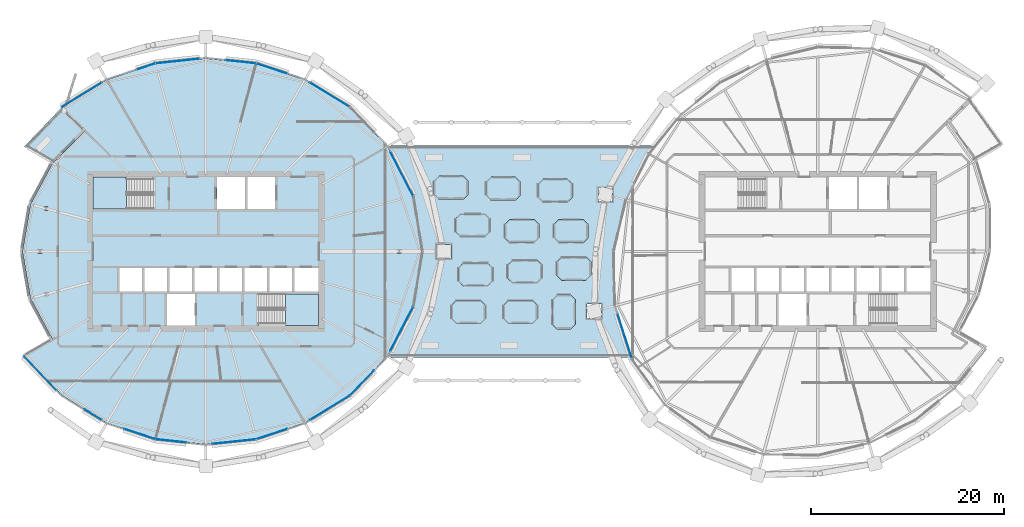
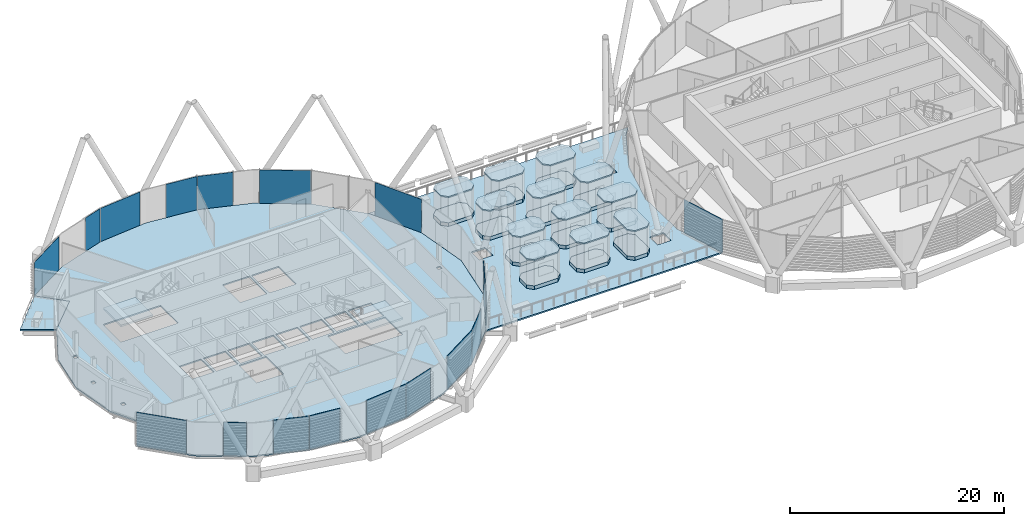
# One storey, part 20 of 38: 29 slabs, 17 plates, 4 elements without a shape of their own.
"""IFC4 building model written with IfcOpenShell, lengths in metres."""

from ifc_helpers import new_model, si_unit, direction, frame, origin, origin_2d, place, context, subcontext, project, spatial, polyline, rectangle, outline, extrude, material, layer, layer_set, type_object, element, aggregate, save


model = new_model("IFC4")

# Units and contexts
model_context = context("Model", 3, precision=1e-05, world=origin(), true_north=direction((0.0, 1.0)))
body_context = subcontext(model_context, "Body", "Model", "MODEL_VIEW")
ifc_project = project(units=[si_unit("LENGTHUNIT", "METRE"), si_unit("AREAUNIT", "SQUARE_METRE"), si_unit("VOLUMEUNIT", "CUBIC_METRE"), si_unit("PLANEANGLEUNIT", "RADIAN"), si_unit("MASSUNIT", "GRAM", prefix="KILO")], contexts=[model_context])

# Site, building, storey
site_placement = place(None, origin())
site = spatial("IfcSite", under=ifc_project, at=site_placement, CompositionType="ELEMENT")
building_placement = place(site_placement, origin())
building = spatial("IfcBuilding", under=site, at=building_placement, Name="Rimbun Link Towers", CompositionType="ELEMENT")
storey_placement = place(building_placement, frame((0.0, 0.0, 158.89990234375)))
storey = spatial("IfcBuildingStorey", under=building, at=storey_placement, Name="L38", CompositionType="ELEMENT", Elevation=158.89990234375)

# Slabs
ifc_material_1 = material(Name="Concrete C40/50", Category="concrete")
ifc_layer_1 = layer(ifc_material_1, 0.409912109375)
ifc_layer_set_1 = layer_set([ifc_layer_1], Name="CAPSULE plinth slab 410")
slab_type_1 = type_object("IfcSlabType", Name="CAPSULE plinth slab 410", PredefinedType="FLOOR", material=ifc_layer_set_1)
slab_1_placement = place(storey_placement, origin())
element("IfcSlab", 1, at=slab_1_placement, inside=storey, type_object=slab_type_1, Name="CAPSULE C01 floor panel", PredefinedType="FLOOR", context=body_context, shape_type="SweptSolid", body=[
    extrude(outline(polyline([(-2.699951171875, -5.62939453125), (-3.229248046875, -5.10009765625), (-5.770751953125, -5.10009765625), (-6.300048828125, -5.62939453125), (-6.300048828125, -6.970703125), (-5.770751953125, -7.5), (-3.229248046875, -7.5), (-2.699951171875, -6.970703125), (-2.699951171875, -5.62939453125)])), origin(), (0.0, 0.0, 1.0), 0.41015625),
])
slab_2_placement = place(storey_placement, origin())
element("IfcSlab", 2, at=slab_2_placement, inside=storey, type_object=slab_type_1, Name="CAPSULE C02 floor panel", PredefinedType="FLOOR", context=body_context, shape_type="SweptSolid", body=[
    extrude(outline(polyline([(2.699951171875, -5.62939453125), (2.170654296875, -5.10009765625), (-0.37060546875, -5.10009765625), (-0.89990234375, -5.62939453125), (-0.89990234375, -6.970703125), (-0.37060546875, -7.5), (2.170654296875, -7.5), (2.699951171875, -6.970703125), (2.699951171875, -5.62939453125)])), origin(), (0.0, 0.0, 1.0), 0.41015625),
])
slab_3_placement = place(storey_placement, origin())
element("IfcSlab", 3, at=slab_3_placement, inside=storey, type_object=slab_type_1, Name="CAPSULE C03 floor panel", PredefinedType="FLOOR", context=body_context, shape_type="SweptSolid", body=[
    extrude(outline(polyline([(4.729248046875, -4.5), (4.199951171875, -5.029296875), (4.199951171875, -7.57080078125), (4.729248046875, -8.10009765625), (6.07080078125, -8.10009765625), (6.60009765625, -7.57080078125), (6.60009765625, -5.029296875), (6.07080078125, -4.5), (4.729248046875, -4.5)])), origin(), (0.0, 0.0, 1.0), 0.41015625),
])
slab_4_placement = place(storey_placement, origin())
element("IfcSlab", 4, at=slab_4_placement, inside=storey, type_object=slab_type_1, Name="CAPSULE C04 floor panel", PredefinedType="FLOOR", context=body_context, shape_type="SweptSolid", body=[
    extrude(outline(polyline([(-1.949951171875, -1.729248046875), (-2.479248046875, -1.199951171875), (-5.020751953125, -1.199951171875), (-5.550048828125, -1.729248046875), (-5.550048828125, -3.07080078125), (-5.020751953125, -3.60009765625), (-2.479248046875, -3.60009765625), (-1.949951171875, -3.07080078125), (-1.949951171875, -1.729248046875)])), origin(), (0.0, 0.0, 1.0), 0.41015625),
])
slab_5_placement = place(storey_placement, origin())
element("IfcSlab", 5, at=slab_5_placement, inside=storey, type_object=slab_type_1, Name="CAPSULE C05 floor panel", PredefinedType="FLOOR", context=body_context, shape_type="SweptSolid", body=[
    extrude(outline(polyline([(3.14990234375, -1.42919921875), (2.62060546875, -0.89990234375), (0.079345703125, -0.89990234375), (-0.449951171875, -1.42919921875), (-0.449951171875, -2.770751953125), (0.079345703125, -3.300048828125), (2.62060546875, -3.300048828125), (3.14990234375, -2.770751953125), (3.14990234375, -1.42919921875)])), origin(), (0.0, 0.0, 1.0), 0.41015625),
])
slab_6_placement = place(storey_placement, origin())
element("IfcSlab", 6, at=slab_6_placement, inside=storey, type_object=slab_type_1, Name="CAPSULE C06 floor panel", PredefinedType="FLOOR", context=body_context, shape_type="SweptSolid", body=[
    extrude(outline(polyline([(8.25, -1.12939453125), (7.720703125, -0.60009765625), (5.17919921875, -0.60009765625), (4.64990234375, -1.12939453125), (4.64990234375, -2.470703125), (5.17919921875, -3.0), (7.720703125, -3.0), (8.25, -2.470703125), (8.25, -1.12939453125)])), origin(), (0.0, 0.0, 1.0), 0.41015625),
])
slab_7_placement = place(storey_placement, origin())
element("IfcSlab", 7, at=slab_7_placement, inside=storey, type_object=slab_type_1, Name="CAPSULE C07 floor panel", PredefinedType="FLOOR", context=body_context, shape_type="SweptSolid", body=[
    extrude(outline(polyline([(-2.25, 3.37060546875), (-2.779296875, 3.89990234375), (-5.32080078125, 3.89990234375), (-5.85009765625, 3.37060546875), (-5.85009765625, 2.029296875), (-5.32080078125, 1.5), (-2.779296875, 1.5), (-2.25, 2.029296875), (-2.25, 3.37060546875)])), origin(), (0.0, 0.0, 1.0), 0.41015625),
])
slab_8_placement = place(storey_placement, origin())
element("IfcSlab", 8, at=slab_8_placement, inside=storey, type_object=slab_type_1, Name="CAPSULE C08 floor panel", PredefinedType="FLOOR", context=body_context, shape_type="SweptSolid", body=[
    extrude(outline(polyline([(2.85009765625, 2.770751953125), (2.32080078125, 3.300048828125), (-0.220703125, 3.300048828125), (-0.75, 2.770751953125), (-0.75, 1.42919921875), (-0.220703125, 0.89990234375), (2.32080078125, 0.89990234375), (2.85009765625, 1.42919921875), (2.85009765625, 2.770751953125)])), origin(), (0.0, 0.0, 1.0), 0.41015625),
])
slab_9_placement = place(storey_placement, origin())
element("IfcSlab", 9, at=slab_9_placement, inside=storey, type_object=slab_type_1, Name="CAPSULE C09 floor panel", PredefinedType="FLOOR", context=body_context, shape_type="SweptSolid", body=[
    extrude(outline(polyline([(7.949951171875, 2.770751953125), (7.420654296875, 3.300048828125), (4.87939453125, 3.300048828125), (4.35009765625, 2.770751953125), (4.35009765625, 1.42919921875), (4.87939453125, 0.89990234375), (7.420654296875, 0.89990234375), (7.949951171875, 1.42919921875), (7.949951171875, 2.770751953125)])), origin(), (0.0, 0.0, 1.0), 0.41015625),
])
slab_10_placement = place(storey_placement, origin())
element("IfcSlab", 10, at=slab_10_placement, inside=storey, type_object=slab_type_1, Name="CAPSULE C10 floor panel", PredefinedType="FLOOR", context=body_context, shape_type="SweptSolid", body=[
    extrude(outline(polyline([(-4.5, 7.270751953125), (-5.029296875, 7.800048828125), (-7.57080078125, 7.800048828125), (-8.10009765625, 7.270751953125), (-8.10009765625, 5.92919921875), (-7.57080078125, 5.39990234375), (-5.029296875, 5.39990234375), (-4.5, 5.92919921875), (-4.5, 7.270751953125)])), origin(), (0.0, 0.0, 1.0), 0.41015625),
])
slab_11_placement = place(storey_placement, origin())
element("IfcSlab", 11, at=slab_11_placement, inside=storey, type_object=slab_type_1, Name="CAPSULE C11 floor panel", PredefinedType="FLOOR", context=body_context, shape_type="SweptSolid", body=[
    extrude(outline(polyline([(0.89990234375, 7.170654296875), (0.37060546875, 7.699951171875), (-2.170654296875, 7.699951171875), (-2.699951171875, 7.170654296875), (-2.699951171875, 5.829345703125), (-2.170654296875, 5.300048828125), (0.37060546875, 5.300048828125), (0.89990234375, 5.829345703125), (0.89990234375, 7.170654296875)])), origin(), (0.0, 0.0, 1.0), 0.41015625),
])
slab_12_placement = place(storey_placement, origin())
element("IfcSlab", 12, at=slab_12_placement, inside=storey, type_object=slab_type_1, Name="CAPSULE C12 floor panel", PredefinedType="FLOOR", context=body_context, shape_type="SweptSolid", body=[
    extrude(outline(polyline([(6.300048828125, 6.970703125), (5.770751953125, 7.5), (3.229248046875, 7.5), (2.699951171875, 6.970703125), (2.699951171875, 5.62939453125), (3.229248046875, 5.10009765625), (5.770751953125, 5.10009765625), (6.300048828125, 5.62939453125), (6.300048828125, 6.970703125)])), origin(), (0.0, 0.0, 1.0), 0.41015625),
])
ifc_material_2 = material(Name="Insulated metal roof panel with terracotta fascia", Category="masonry")
ifc_layer_2 = layer(ifc_material_2, 0.14990234375)
ifc_layer_set_2 = layer_set([ifc_layer_2], Name="CAPSULE roof panel 150")
slab_type_2 = type_object("IfcSlabType", Name="CAPSULE roof panel 150", PredefinedType="ROOF", material=ifc_layer_set_2)
slab_13_placement = place(storey_placement, frame((0.0, 0.0, 3.260009765625)))
element("IfcSlab", 13, at=slab_13_placement, inside=storey, type_object=slab_type_2, Name="CAPSULE C01 roof panel", PredefinedType="ROOF", context=body_context, shape_type="SweptSolid", body=[
    extrude(outline(polyline([(-2.699951171875, -5.62939453125), (-3.229248046875, -5.10009765625), (-5.770751953125, -5.10009765625), (-6.300048828125, -5.62939453125), (-6.300048828125, -6.970703125), (-5.770751953125, -7.5), (-3.229248046875, -7.5), (-2.699951171875, -6.970703125), (-2.699951171875, -5.62939453125)])), origin(), (0.0, 0.0, 1.0), 0.150146484375),
])
slab_14_placement = place(storey_placement, frame((0.0, 0.0, 3.260009765625)))
element("IfcSlab", 14, at=slab_14_placement, inside=storey, type_object=slab_type_2, Name="CAPSULE C02 roof panel", PredefinedType="ROOF", context=body_context, shape_type="SweptSolid", body=[
    extrude(outline(polyline([(2.699951171875, -5.62939453125), (2.170654296875, -5.10009765625), (-0.37060546875, -5.10009765625), (-0.89990234375, -5.62939453125), (-0.89990234375, -6.970703125), (-0.37060546875, -7.5), (2.170654296875, -7.5), (2.699951171875, -6.970703125), (2.699951171875, -5.62939453125)])), origin(), (0.0, 0.0, 1.0), 0.150146484375),
])
slab_15_placement = place(storey_placement, frame((0.0, 0.0, 3.260009765625)))
element("IfcSlab", 15, at=slab_15_placement, inside=storey, type_object=slab_type_2, Name="CAPSULE C03 roof panel", PredefinedType="ROOF", context=body_context, shape_type="SweptSolid", body=[
    extrude(outline(polyline([(4.729248046875, -4.5), (4.199951171875, -5.029296875), (4.199951171875, -7.57080078125), (4.729248046875, -8.10009765625), (6.07080078125, -8.10009765625), (6.60009765625, -7.57080078125), (6.60009765625, -5.029296875), (6.07080078125, -4.5), (4.729248046875, -4.5)])), origin(), (0.0, 0.0, 1.0), 0.150146484375),
])
slab_16_placement = place(storey_placement, frame((0.0, 0.0, 3.260009765625)))
element("IfcSlab", 16, at=slab_16_placement, inside=storey, type_object=slab_type_2, Name="CAPSULE C04 roof panel", PredefinedType="ROOF", context=body_context, shape_type="SweptSolid", body=[
    extrude(outline(polyline([(-1.949951171875, -1.729248046875), (-2.479248046875, -1.199951171875), (-5.020751953125, -1.199951171875), (-5.550048828125, -1.729248046875), (-5.550048828125, -3.07080078125), (-5.020751953125, -3.60009765625), (-2.479248046875, -3.60009765625), (-1.949951171875, -3.07080078125), (-1.949951171875, -1.729248046875)])), origin(), (0.0, 0.0, 1.0), 0.150146484375),
])
slab_17_placement = place(storey_placement, frame((0.0, 0.0, 3.260009765625)))
element("IfcSlab", 17, at=slab_17_placement, inside=storey, type_object=slab_type_2, Name="CAPSULE C05 roof panel", PredefinedType="ROOF", context=body_context, shape_type="SweptSolid", body=[
    extrude(outline(polyline([(3.14990234375, -1.42919921875), (2.62060546875, -0.89990234375), (0.079345703125, -0.89990234375), (-0.449951171875, -1.42919921875), (-0.449951171875, -2.770751953125), (0.079345703125, -3.300048828125), (2.62060546875, -3.300048828125), (3.14990234375, -2.770751953125), (3.14990234375, -1.42919921875)])), origin(), (0.0, 0.0, 1.0), 0.150146484375),
])
slab_18_placement = place(storey_placement, frame((0.0, 0.0, 3.260009765625)))
element("IfcSlab", 18, at=slab_18_placement, inside=storey, type_object=slab_type_2, Name="CAPSULE C06 roof panel", PredefinedType="ROOF", context=body_context, shape_type="SweptSolid", body=[
    extrude(outline(polyline([(8.25, -1.12939453125), (7.720703125, -0.60009765625), (5.17919921875, -0.60009765625), (4.64990234375, -1.12939453125), (4.64990234375, -2.470703125), (5.17919921875, -3.0), (7.720703125, -3.0), (8.25, -2.470703125), (8.25, -1.12939453125)])), origin(), (0.0, 0.0, 1.0), 0.150146484375),
])
slab_19_placement = place(storey_placement, frame((0.0, 0.0, 3.260009765625)))
element("IfcSlab", 19, at=slab_19_placement, inside=storey, type_object=slab_type_2, Name="CAPSULE C07 roof panel", PredefinedType="ROOF", context=body_context, shape_type="SweptSolid", body=[
    extrude(outline(polyline([(-2.25, 3.37060546875), (-2.779296875, 3.89990234375), (-5.32080078125, 3.89990234375), (-5.85009765625, 3.37060546875), (-5.85009765625, 2.029296875), (-5.32080078125, 1.5), (-2.779296875, 1.5), (-2.25, 2.029296875), (-2.25, 3.37060546875)])), origin(), (0.0, 0.0, 1.0), 0.150146484375),
])
slab_20_placement = place(storey_placement, frame((0.0, 0.0, 3.260009765625)))
element("IfcSlab", 20, at=slab_20_placement, inside=storey, type_object=slab_type_2, Name="CAPSULE C08 roof panel", PredefinedType="ROOF", context=body_context, shape_type="SweptSolid", body=[
    extrude(outline(polyline([(2.85009765625, 2.770751953125), (2.32080078125, 3.300048828125), (-0.220703125, 3.300048828125), (-0.75, 2.770751953125), (-0.75, 1.42919921875), (-0.220703125, 0.89990234375), (2.32080078125, 0.89990234375), (2.85009765625, 1.42919921875), (2.85009765625, 2.770751953125)])), origin(), (0.0, 0.0, 1.0), 0.150146484375),
])
slab_21_placement = place(storey_placement, frame((0.0, 0.0, 3.260009765625)))
element("IfcSlab", 21, at=slab_21_placement, inside=storey, type_object=slab_type_2, Name="CAPSULE C09 roof panel", PredefinedType="ROOF", context=body_context, shape_type="SweptSolid", body=[
    extrude(outline(polyline([(7.949951171875, 2.770751953125), (7.420654296875, 3.300048828125), (4.87939453125, 3.300048828125), (4.35009765625, 2.770751953125), (4.35009765625, 1.42919921875), (4.87939453125, 0.89990234375), (7.420654296875, 0.89990234375), (7.949951171875, 1.42919921875), (7.949951171875, 2.770751953125)])), origin(), (0.0, 0.0, 1.0), 0.150146484375),
])
slab_22_placement = place(storey_placement, frame((0.0, 0.0, 3.260009765625)))
element("IfcSlab", 22, at=slab_22_placement, inside=storey, type_object=slab_type_2, Name="CAPSULE C10 roof panel", PredefinedType="ROOF", context=body_context, shape_type="SweptSolid", body=[
    extrude(outline(polyline([(-4.5, 7.270751953125), (-5.029296875, 7.800048828125), (-7.57080078125, 7.800048828125), (-8.10009765625, 7.270751953125), (-8.10009765625, 5.92919921875), (-7.57080078125, 5.39990234375), (-5.029296875, 5.39990234375), (-4.5, 5.92919921875), (-4.5, 7.270751953125)])), origin(), (0.0, 0.0, 1.0), 0.150146484375),
])
slab_23_placement = place(storey_placement, frame((0.0, 0.0, 3.260009765625)))
element("IfcSlab", 23, at=slab_23_placement, inside=storey, type_object=slab_type_2, Name="CAPSULE C11 roof panel", PredefinedType="ROOF", context=body_context, shape_type="SweptSolid", body=[
    extrude(outline(polyline([(0.89990234375, 7.170654296875), (0.37060546875, 7.699951171875), (-2.170654296875, 7.699951171875), (-2.699951171875, 7.170654296875), (-2.699951171875, 5.829345703125), (-2.170654296875, 5.300048828125), (0.37060546875, 5.300048828125), (0.89990234375, 5.829345703125), (0.89990234375, 7.170654296875)])), origin(), (0.0, 0.0, 1.0), 0.150146484375),
])
slab_24_placement = place(storey_placement, frame((0.0, 0.0, 3.260009765625)))
element("IfcSlab", 24, at=slab_24_placement, inside=storey, type_object=slab_type_2, Name="CAPSULE C12 roof panel", PredefinedType="ROOF", context=body_context, shape_type="SweptSolid", body=[
    extrude(outline(polyline([(6.300048828125, 6.970703125), (5.770751953125, 7.5), (3.229248046875, 7.5), (2.699951171875, 6.970703125), (2.699951171875, 5.62939453125), (3.229248046875, 5.10009765625), (5.770751953125, 5.10009765625), (6.300048828125, 5.62939453125), (6.300048828125, 6.970703125)])), origin(), (0.0, 0.0, 1.0), 0.150146484375),
])
ifc_material_3 = material(Name="Concrete C35/45", Category="concrete")
ifc_layer_3 = layer(ifc_material_3, 0.14990234375)
ifc_layer_set_3 = layer_set([ifc_layer_3], Name="COMPOSITE FLOOR 150")
slab_type_3 = type_object("IfcSlabType", Name="COMPOSITE FLOOR 150", PredefinedType="FLOOR", material=ifc_layer_set_3)
slab_25_placement = place(storey_placement, frame((0.0, 0.0, -0.14990234375)))
element("IfcSlab", 25, at=slab_25_placement, inside=storey, type_object=slab_type_3, Name="Floor slab T1 L38", PredefinedType="FLOOR", context=body_context, shape_type="SweptSolid", body=[
    extrude(outline(polyline([(-42.030029296875, 17.8056640625), (-36.97021484375, 19.482421875), (-31.75, 20.031982421875), (-26.52978515625, 19.482421875), (-21.469970703125, 17.8056640625), (-16.807373046875, 14.942626953125), (-12.909912109375, 10.87744140625), (-10.2607421875, 5.758056640625), (-9.31396484375, 0.0), (-10.2607421875, -5.758056640625), (-12.909912109375, -10.87744140625), (-16.807373046875, -14.942626953125), (-21.469970703125, -17.8056640625), (-26.52978515625, -19.482421875), (-31.75, -20.031982421875), (-36.97021484375, -19.482421875), (-42.030029296875, -17.8056640625), (-46.692626953125, -14.942626953125), (-50.590087890625, -10.87744140625), (-47.645751953125, -9.177490234375), (-49.955078125, -4.8779296875), (-50.785888671875, 0.0), (-49.955078125, 4.8779296875), (-47.645751953125, 9.177490234375), (-44.28857421875, 12.53857421875), (-46.692626953125, 14.942626953125), (-42.030029296875, 17.8056640625)]), holes=[polyline([(-32.89990234375, -7.699951171875), (-32.89990234375, -4.39990234375), (-35.800048828125, -4.39990234375), (-35.800048828125, -7.699951171875), (-32.89990234375, -7.699951171875)]), polyline([(-48.118896484375, -4.63623046875), (-48.118896484375, -4.24267578125), (-48.517822265625, -4.24267578125), (-48.517822265625, -4.63623046875), (-48.118896484375, -4.63623046875)]), polyline([(-38.361083984375, -4.14990234375), (-38.361083984375, -1.75), (-40.70556640625, -1.75), (-40.70556640625, -4.14990234375), (-38.361083984375, -4.14990234375)]), polyline([(-35.7666015625, -4.14990234375), (-35.7666015625, -1.75), (-38.111083984375, -1.75), (-38.111083984375, -4.14990234375), (-35.7666015625, -4.14990234375)]), polyline([(-33.172119140625, -4.14990234375), (-33.172119140625, -1.75), (-35.5166015625, -1.75), (-35.5166015625, -4.14990234375), (-33.172119140625, -4.14990234375)]), polyline([(-30.577880859375, -4.14990234375), (-30.577880859375, -1.75), (-32.922119140625, -1.75), (-32.922119140625, -4.14990234375), (-30.577880859375, -4.14990234375)]), polyline([(-48.7646484375, -0.19677734375), (-48.7646484375, 0.19677734375), (-49.163818359375, 0.19677734375), (-49.163818359375, -0.19677734375), (-48.7646484375, -0.19677734375)]), polyline([(-48.118896484375, 4.24267578125), (-48.118896484375, 4.63623046875), (-48.517822265625, 4.63623046875), (-48.517822265625, 4.24267578125), (-48.118896484375, 4.24267578125)]), polyline([(-37.260009765625, 4.39990234375), (-37.260009765625, 7.699951171875), (-43.449951171875, 7.699951171875), (-43.449951171875, 4.39990234375), (-37.260009765625, 4.39990234375)]), polyline([(-20.050048828125, -7.699951171875), (-20.050048828125, -4.39990234375), (-26.239990234375, -4.39990234375), (-26.239990234375, -7.699951171875), (-20.050048828125, -7.699951171875)]), polyline([(-27.9833984375, -4.14990234375), (-27.9833984375, -1.75), (-30.327880859375, -1.75), (-30.327880859375, -4.14990234375), (-27.9833984375, -4.14990234375)]), polyline([(-25.388916015625, -4.14990234375), (-25.388916015625, -1.75), (-27.7333984375, -1.75), (-27.7333984375, -4.14990234375), (-25.388916015625, -4.14990234375)]), polyline([(-22.79443359375, -4.14990234375), (-22.79443359375, -1.75), (-25.138916015625, -1.75), (-25.138916015625, -4.14990234375), (-22.79443359375, -4.14990234375)]), polyline([(-20.050048828125, -4.14990234375), (-20.050048828125, -1.75), (-22.54443359375, -1.75), (-22.54443359375, -4.14990234375), (-20.050048828125, -4.14990234375)]), polyline([(-11.492919921875, -0.19677734375), (-11.492919921875, 0.19677734375), (-11.891845703125, 0.19677734375), (-11.891845703125, -0.19677734375), (-11.492919921875, -0.19677734375)]), polyline([(-30.60009765625, 4.39990234375), (-27.699951171875, 4.39990234375), (-27.699951171875, 7.699951171875), (-30.60009765625, 7.699951171875), (-30.60009765625, 4.39990234375)]), polyline([(-27.449951171875, 4.39990234375), (-24.550048828125, 4.39990234375), (-24.550048828125, 7.699951171875), (-27.449951171875, 7.699951171875), (-27.449951171875, 4.39990234375)])]), origin(), (0.0, 0.0, 1.0), 0.14990234375),
])

# Curtain wall, plates
ifc_material_4 = material(Name="Aluminium 6063-T6 and low-iron glass", Category="aluminium")
curtain_wall_type = type_object("IfcCurtainWallType", Name="CW1-Z3 unitised vision wall (zone 3)", PredefinedType="NOTDEFINED", material=ifc_material_4)
curtain_wall_1_placement = place(storey_placement, origin())
curtain_wall_1 = element("IfcCurtainWall", 26, at=curtain_wall_1_placement, inside=storey, type_object=curtain_wall_type, Name="CW1 L38 T1", PredefinedType="NOTDEFINED")
ifc_material_5 = material(Name="Low-iron glass, laminated low-e unit", Category="glass")
ifc_layer_4 = layer(ifc_material_5, 0.028076171875)
ifc_layer_set_4 = layer_set([ifc_layer_4], Name="CW1 panel Low-iron glass 28")
plate_type = type_object("IfcPlateType", Name="CW1 panel Low-iron glass 28", PredefinedType="CURTAIN_PANEL", material=ifc_layer_set_4)
plate_1_placement = place(storey_placement, frame((-11.43505859375, 8.0576171875, 0.0), z_axis=(0.0, 0.0, 1.0), x_axis=(0.459564501078, -0.888144396677, 0.0)))
plate_1 = element("IfcPlate", 27, at=plate_1_placement, type_object=plate_type, Name="CW1 panel", PredefinedType="CURTAIN_PANEL", context=body_context, shape_type="SweptSolid", body=[
    extrude(rectangle(XDim=5.124267578125, YDim=0.028076171875, at=origin_2d()), origin(), (0.0, 0.0, 1.0), 3.800048828125),
])
plate_2_placement = place(storey_placement, frame((-18.875732421875, 16.22900390625, 0.0), z_axis=(0.0, 0.0, 1.0), x_axis=(0.85217937547, -0.523249760653, 0.0)))
plate_2 = element("IfcPlate", 28, at=plate_2_placement, type_object=plate_type, Name="CW1 panel", PredefinedType="CURTAIN_PANEL", context=body_context, shape_type="SweptSolid", body=[
    extrude(rectangle(XDim=4.831298828125, YDim=0.028076171875, at=origin_2d()), origin(), (0.0, 0.0, 1.0), 3.800048828125),
])
plate_3_placement = place(storey_placement, frame((-24.897216796875, 18.9560546875, 0.0), z_axis=(0.0, 0.0, 1.0), x_axis=(0.949239009489, -0.314555722988, 0.0)))
plate_3 = element("IfcPlate", 29, at=plate_3_placement, type_object=plate_type, Name="CW1 panel", PredefinedType="CURTAIN_PANEL", context=body_context, shape_type="SweptSolid", body=[
    extrude(rectangle(XDim=3.390380859375, YDim=0.028076171875, at=origin_2d()), origin(), (0.0, 0.0, 1.0), 3.800048828125),
])
plate_4_placement = place(storey_placement, frame((-28.119140625, 19.663818359375, 0.0), z_axis=(0.0, 0.0, 1.0), x_axis=(0.994499605701, -0.104740318219, 0.0)))
plate_4 = element("IfcPlate", 30, at=plate_4_placement, type_object=plate_type, Name="CW1 panel", PredefinedType="CURTAIN_PANEL", context=body_context, shape_type="SweptSolid", body=[
    extrude(rectangle(XDim=3.1591796875, YDim=0.028076171875, at=origin_2d()), origin(), (0.0, 0.0, 1.0), 3.800048828125),
])
plate_5_placement = place(storey_placement, frame((-34.684814453125, 19.737060546875, 0.0), z_axis=(0.0, 0.0, 1.0), x_axis=(0.994499605701, 0.104740318219, 0.0)))
plate_5 = element("IfcPlate", 31, at=plate_5_placement, type_object=plate_type, Name="CW1 panel", PredefinedType="CURTAIN_PANEL", context=body_context, shape_type="SweptSolid", body=[
    extrude(rectangle(XDim=4.55908203125, YDim=0.028076171875, at=origin_2d()), origin(), (0.0, 0.0, 1.0), 3.800048828125),
])
plate_6_placement = place(storey_placement, frame((-37.962158203125, 19.16845703125, 0.0), z_axis=(0.0, 0.0, 1.0), x_axis=(0.949239009489, 0.314555722988, 0.0)))
plate_6 = element("IfcPlate", 32, at=plate_6_placement, type_object=plate_type, Name="CW1 panel", PredefinedType="CURTAIN_PANEL", context=body_context, shape_type="SweptSolid", body=[
    extrude(rectangle(XDim=2.040283203125, YDim=0.028076171875, at=origin_2d()), origin(), (0.0, 0.0, 1.0), 3.800048828125),
])
plate_7_placement = place(storey_placement, frame((-44.624267578125, 16.22900390625, 0.0), z_axis=(0.0, 0.0, 1.0), x_axis=(0.85217937547, 0.523249760653, 0.0)))
plate_7 = element("IfcPlate", 33, at=plate_7_placement, type_object=plate_type, Name="CW1 panel", PredefinedType="CURTAIN_PANEL", context=body_context, shape_type="SweptSolid", body=[
    extrude(rectangle(XDim=4.831298828125, YDim=0.028076171875, at=origin_2d()), origin(), (0.0, 0.0, 1.0), 3.800048828125),
])
plate_8_placement = place(storey_placement, frame((-48.9111328125, -12.64892578125, 0.0), z_axis=(0.0, 0.0, 1.0), x_axis=(-0.692052284405, 0.721847376977, 0.0)))
plate_8 = element("IfcPlate", 34, at=plate_8_placement, type_object=plate_type, Name="CW1 panel", PredefinedType="CURTAIN_PANEL", context=body_context, shape_type="SweptSolid", body=[
    extrude(rectangle(XDim=4.841796875, YDim=0.028076171875, at=origin_2d()), origin(), (0.0, 0.0, 1.0), 3.800048828125),
])
plate_9_placement = place(storey_placement, frame((-43.473876953125, -16.935546875, 0.0), z_axis=(0.0, 0.0, 1.0), x_axis=(-0.85217937547, 0.523249760653, 0.0)))
plate_9 = element("IfcPlate", 35, at=plate_9_placement, type_object=plate_type, Name="CW1 panel", PredefinedType="CURTAIN_PANEL", context=body_context, shape_type="SweptSolid", body=[
    extrude(rectangle(XDim=2.13134765625, YDim=0.028076171875, at=origin_2d()), origin(), (0.0, 0.0, 1.0), 3.800048828125),
])
plate_10_placement = place(storey_placement, frame((-38.602783203125, -18.9560546875, 0.0), z_axis=(0.0, 0.0, 1.0), x_axis=(-0.949239009489, 0.314555722988, 0.0)))
plate_10 = element("IfcPlate", 36, at=plate_10_placement, type_object=plate_type, Name="CW1 panel", PredefinedType="CURTAIN_PANEL", context=body_context, shape_type="SweptSolid", body=[
    extrude(rectangle(XDim=3.390380859375, YDim=0.028076171875, at=origin_2d()), origin(), (0.0, 0.0, 1.0), 3.800048828125),
])
plate_11_placement = place(storey_placement, frame((-35.380859375, -19.663818359375, 0.0), z_axis=(0.0, 0.0, 1.0), x_axis=(-0.994499605701, 0.104740318219, 0.0)))
plate_11 = element("IfcPlate", 37, at=plate_11_placement, type_object=plate_type, Name="CW1 panel", PredefinedType="CURTAIN_PANEL", context=body_context, shape_type="SweptSolid", body=[
    extrude(rectangle(XDim=3.1591796875, YDim=0.028076171875, at=origin_2d()), origin(), (0.0, 0.0, 1.0), 3.800048828125),
])
plate_12_placement = place(storey_placement, frame((-28.815185546875, -19.737060546875, 0.0), z_axis=(0.0, 0.0, 1.0), x_axis=(-0.994499605701, -0.104740318219, 0.0)))
plate_12 = element("IfcPlate", 38, at=plate_12_placement, type_object=plate_type, Name="CW1 panel", PredefinedType="CURTAIN_PANEL", context=body_context, shape_type="SweptSolid", body=[
    extrude(rectangle(XDim=4.55908203125, YDim=0.028076171875, at=origin_2d()), origin(), (0.0, 0.0, 1.0), 3.800048828125),
])
plate_13_placement = place(storey_placement, frame((-24.897216796875, -18.9560546875, 0.0), z_axis=(0.0, 0.0, 1.0), x_axis=(-0.949239009489, -0.314555722988, 0.0)))
plate_13 = element("IfcPlate", 39, at=plate_13_placement, type_object=plate_type, Name="CW1 panel", PredefinedType="CURTAIN_PANEL", context=body_context, shape_type="SweptSolid", body=[
    extrude(rectangle(XDim=3.390380859375, YDim=0.028076171875, at=origin_2d()), origin(), (0.0, 0.0, 1.0), 3.800048828125),
])
plate_14_placement = place(storey_placement, frame((-18.875732421875, -16.22900390625, 0.0), z_axis=(0.0, 0.0, 1.0), x_axis=(-0.85217937547, -0.523249760653, 0.0)))
plate_14 = element("IfcPlate", 40, at=plate_14_placement, type_object=plate_type, Name="CW1 panel", PredefinedType="CURTAIN_PANEL", context=body_context, shape_type="SweptSolid", body=[
    extrude(rectangle(XDim=4.831298828125, YDim=0.028076171875, at=origin_2d()), origin(), (0.0, 0.0, 1.0), 3.800048828125),
])
plate_15_placement = place(storey_placement, frame((-15.54052734375, -13.6416015625, 0.0), z_axis=(0.0, 0.0, 1.0), x_axis=(-0.692052284405, -0.721847376977, 0.0)))
plate_15 = element("IfcPlate", 41, at=plate_15_placement, type_object=plate_type, Name="CW1 panel", PredefinedType="CURTAIN_PANEL", context=body_context, shape_type="SweptSolid", body=[
    extrude(rectangle(XDim=3.591796875, YDim=0.028076171875, at=origin_2d()), origin(), (0.0, 0.0, 1.0), 3.800048828125),
])
plate_16_placement = place(storey_placement, frame((-11.43505859375, -8.0576171875, 0.0), z_axis=(0.0, 0.0, 1.0), x_axis=(-0.459564501078, -0.888144396677, 0.0)))
plate_16 = element("IfcPlate", 42, at=plate_16_placement, type_object=plate_type, Name="CW1 panel", PredefinedType="CURTAIN_PANEL", context=body_context, shape_type="SweptSolid", body=[
    extrude(rectangle(XDim=5.124267578125, YDim=0.028076171875, at=origin_2d()), origin(), (0.0, 0.0, 1.0), 3.800048828125),
])
aggregate(curtain_wall_1, [plate_1, plate_2, plate_3, plate_4, plate_5, plate_6, plate_7, plate_8, plate_9, plate_10, plate_11, plate_12, plate_13, plate_14, plate_15, plate_16])

# Curtain wall, plate
curtain_wall_2_placement = place(storey_placement, origin())
curtain_wall_2 = element("IfcCurtainWall", 43, at=curtain_wall_2_placement, inside=storey, type_object=curtain_wall_type, Name="CW1 L38 T2", PredefinedType="NOTDEFINED")
plate_17_placement = place(storey_placement, frame((11.725341796875, -8.786376953125, 0.0), z_axis=(0.0, 0.0, 1.0), x_axis=(-0.303081920912, 0.952964505749, 0.0)))
plate_17 = element("IfcPlate", 44, at=plate_17_placement, type_object=plate_type, Name="CW1 panel", PredefinedType="CURTAIN_PANEL", context=body_context, shape_type="SweptSolid", body=[
    extrude(rectangle(XDim=4.8740234375, YDim=0.028076171875, at=origin_2d()), origin(), (0.0, 0.0, 1.0), 3.800048828125),
])
aggregate(curtain_wall_2, [plate_17])

# Slab
ifc_material_6 = material(Name="Concrete C40/50", Category="concrete")
ifc_layer_5 = layer(ifc_material_6, 0.159912109375)
ifc_layer_set_5 = layer_set([ifc_layer_5], Name="Link roof composite slab")
slab_type_4 = type_object("IfcSlabType", Name="Link roof composite slab", PredefinedType="ROOF", material=ifc_layer_set_5)
slab_26_placement = place(storey_placement, frame((0.0, 0.0, -0.159912109375)))
element("IfcSlab", 45, at=slab_26_placement, inside=storey, type_object=slab_type_4, Name="Link block roof slab", PredefinedType="ROOF", context=body_context, shape_type="SweptSolid", body=[
    extrude(outline(polyline([(-12.909912109375, -10.87744140625), (-10.2607421875, -5.758056640625), (-9.31396484375, 0.0), (-10.2607421875, 5.758056640625), (-12.909912109375, 10.87744140625), (-13.02734375, 11.0), (15.0234375, 11.0), (14.28271484375, 10.084716796875), (11.890380859375, 5.3212890625), (10.617919921875, 0.0), (10.736328125, -5.630615234375), (12.444091796875, -11.0), (-13.02734375, -11.0), (-12.909912109375, -10.87744140625)]), holes=[polyline([(9.298095703125, -6.947998046875), (9.298095703125, -5.477783203125), (7.828125, -5.477783203125), (7.828125, -6.947998046875), (9.298095703125, -6.947998046875)]), polyline([(-6.3291015625, -0.735107421875), (-6.3291015625, 0.735107421875), (-7.799072265625, 0.735107421875), (-7.799072265625, -0.735107421875), (-6.3291015625, -0.735107421875)]), polyline([(8.982177734375, 5.168701171875), (10.4521484375, 5.168701171875), (10.4521484375, 6.638671875), (8.982177734375, 6.638671875), (8.982177734375, 5.168701171875)])]), origin(), (0.0, 0.0, 1.0), 0.159912109375),
])

# Stair, slab
ifc_material_7 = material(Name="Concrete C40/50", Category="concrete")
stair_type = type_object("IfcStairType", Name="Exit stair 3800 rise", PredefinedType="HALF_TURN_STAIR", material=ifc_material_7)
stair_1_placement = place(storey_placement, origin())
stair_1 = element("IfcStair", 46, at=stair_1_placement, inside=storey, type_object=stair_type, Name="L38 EXIT STAIR A", PredefinedType="HALF_TURN_STAIR")
ifc_material_8 = material(Name="Concrete C40/50", Category="concrete")
ifc_layer_6 = layer(ifc_material_8, 0.199951171875)
ifc_layer_set_6 = layer_set([ifc_layer_6], Name="Stair landing")
slab_type_5 = type_object("IfcSlabType", Name="Stair landing", PredefinedType="LANDING", material=ifc_layer_set_6)
slab_27_placement = place(storey_placement, frame((0.0, 0.0, 1.7001953125)))
slab_27 = element("IfcSlab", 47, at=slab_27_placement, type_object=slab_type_5, Name="ST1 landing 1", PredefinedType="LANDING", context=body_context, shape_type="SweptSolid", body=[
    extrude(outline(polyline([(-40.0, 7.699951171875), (-43.449951171875, 7.699951171875), (-43.449951171875, 4.39990234375), (-40.0, 4.39990234375), (-40.0, 7.699951171875)])), origin(), (0.0, 0.0, 1.0), 0.199951171875),
])
aggregate(stair_1, [slab_27])

stair_2_placement = place(storey_placement, origin())
stair_2 = element("IfcStair", 48, at=stair_2_placement, inside=storey, type_object=stair_type, Name="L38 EXIT STAIR B", PredefinedType="HALF_TURN_STAIR")
slab_28_placement = place(storey_placement, frame((0.0, 0.0, 1.7001953125)))
slab_28 = element("IfcSlab", 49, at=slab_28_placement, type_object=slab_type_5, Name="ST2 landing 1", PredefinedType="LANDING", context=body_context, shape_type="SweptSolid", body=[
    extrude(outline(polyline([(-23.5, -7.699951171875), (-20.050048828125, -7.699951171875), (-20.050048828125, -4.39990234375), (-23.5, -4.39990234375), (-23.5, -7.699951171875)])), origin(), (0.0, 0.0, 1.0), 0.199951171875),
])
aggregate(stair_2, [slab_28])

# Slab
ifc_material_9 = material(Name="Concrete C35/45", Category="concrete")
ifc_layer_7 = layer(ifc_material_9, 0.14990234375)
ifc_layer_set_7 = layer_set([ifc_layer_7], Name="TERRACE SLAB 150")
slab_type_6 = type_object("IfcSlabType", Name="TERRACE SLAB 150", PredefinedType="FLOOR", material=ifc_layer_set_7)
slab_29_placement = place(storey_placement, frame((0.0, 0.0, -0.14990234375)))
element("IfcSlab", 50, at=slab_29_placement, inside=storey, type_object=slab_type_6, Name="Terrace slab T1 L38", PredefinedType="FLOOR", context=body_context, shape_type="SweptSolid", body=[
    extrude(outline(polyline([(-44.28857421875, 12.53857421875), (-47.645751953125, 9.177490234375), (-50.590087890625, 10.87744140625), (-46.692626953125, 14.942626953125), (-44.28857421875, 12.53857421875)])), origin(), (0.0, 0.0, 1.0), 0.14990234375),
])

save(model, "model.ifc")
